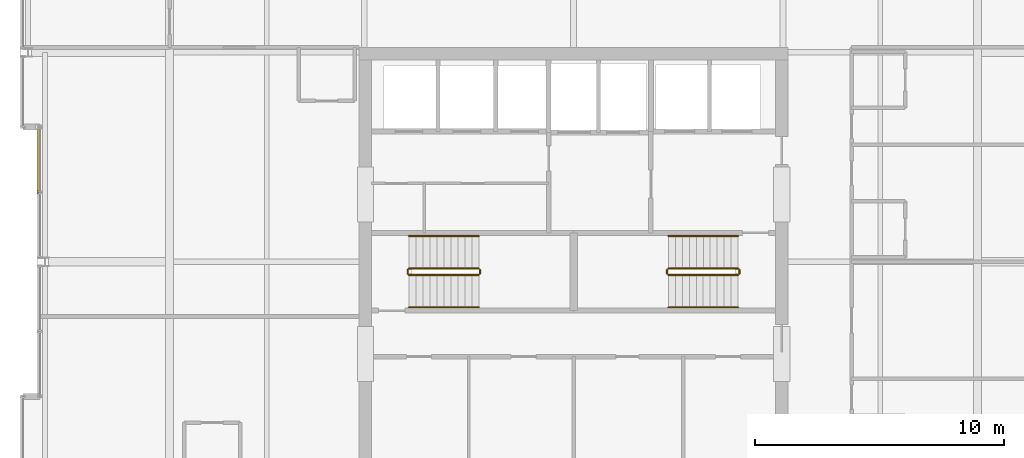
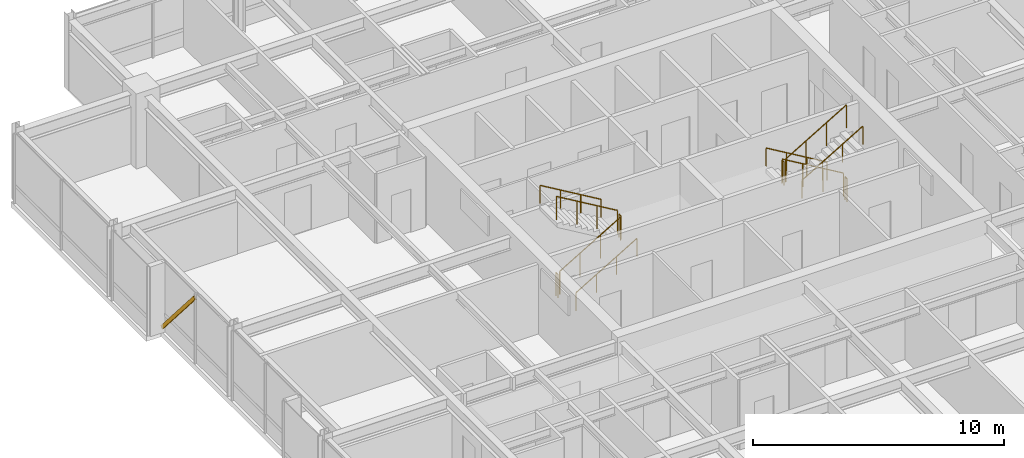
# One storey, part 33 of 34: 12 railings, 1 shading device.
"""IFC4 building model written with IfcOpenShell, lengths in metres."""

from ifc_helpers import new_model, si_unit, direction, frame, origin, origin_2d, place, context, subcontext, project, spatial, hollow_rectangle, circle, extrude, material, material_profile, profile_set, type_object, element, save


model = new_model("IFC4")

# Units and contexts
model_context = context("Model", 3, precision=1e-05, world=origin(), true_north=direction((0.0, 1.0)))
body_context = subcontext(model_context, "Body", "Model", "MODEL_VIEW")
ifc_project = project(units=[si_unit("LENGTHUNIT", "METRE"), si_unit("AREAUNIT", "SQUARE_METRE"), si_unit("VOLUMEUNIT", "CUBIC_METRE"), si_unit("PLANEANGLEUNIT", "RADIAN"), si_unit("MASSUNIT", "GRAM", prefix="KILO")], contexts=[model_context])

# Site, building, storey
site_placement = place(None, origin())
site = spatial("IfcSite", under=ifc_project, at=site_placement, CompositionType="ELEMENT")
building_placement = place(site_placement, origin())
building = spatial("IfcBuilding", under=site, at=building_placement, Name="Drelvath Grand Hotel", CompositionType="ELEMENT")
storey_placement = place(building_placement, frame((0.0, 0.0, 272.300048828125)))
storey = spatial("IfcBuildingStorey", under=building, at=storey_placement, Name="L71", CompositionType="ELEMENT", Elevation=272.300048828125)

# Railings
ifc_material_1 = material(Name="Painted Steel S275", Category="steel")
railing_type_1 = type_object("IfcRailingType", Name="Core Stair Wall Handrail 900", PredefinedType="HANDRAIL", material=ifc_material_1)
railing_1_placement = place(storey_placement, frame((-6.60009765625, 25.169921875, 0.165771484375)))
element("IfcRailing", 1, at=railing_1_placement, inside=storey, type_object=railing_type_1, Name="L71 ST-1 stair handrail 1", PredefinedType="HANDRAIL", context=body_context, shape_type="SweptSolid", body=[
    extrude(circle(Radius=0.02392578125, at=origin_2d()), frame((0.0, 0.0, 0.8759765625), z_axis=(0.860306154799, 0.0, 0.50977771628), x_axis=(0.0, 1.0, 0.0)), (0.0, 0.0, 1.0), 3.254638671875),
    extrude(circle(Radius=0.02099609375, at=origin_2d()), origin(), (0.0, 0.0, 1.0), 0.851806640625),
    extrude(circle(Radius=0.02099609375, at=origin_2d()), frame((0.933349609375, 0.0, 0.552978515625)), (0.0, 0.0, 1.0), 0.851806640625),
    extrude(circle(Radius=0.02099609375, at=origin_2d()), frame((1.86669921875, 0.0, 1.106201171875)), (0.0, 0.0, 1.0), 0.851806640625),
    extrude(circle(Radius=0.02099609375, at=origin_2d()), frame((2.800048828125, 0.0, 1.6591796875)), (0.0, 0.0, 1.0), 0.851806640625),
])
railing_2_placement = place(storey_placement, frame((-3.800048828125, 28.030029296875, 1.990966796875)))
element("IfcRailing", 2, at=railing_2_placement, inside=storey, type_object=railing_type_1, Name="L71 ST-1 stair handrail 2", PredefinedType="HANDRAIL", context=body_context, shape_type="SweptSolid", body=[
    extrude(circle(Radius=0.02392578125, at=origin_2d()), frame((0.0, 0.0, 0.8759765625), z_axis=(-0.860339051648, 0.0, 0.50972219513), x_axis=(0.0, -1.0, 0.0)), (0.0, 0.0, 1.0), 3.254638671875),
    extrude(circle(Radius=0.02099609375, at=origin_2d()), origin(), (0.0, 0.0, 1.0), 0.851806640625),
    extrude(circle(Radius=0.02099609375, at=origin_2d()), frame((-0.933349609375, 0.0, 0.552978515625)), (0.0, 0.0, 1.0), 0.851806640625),
    extrude(circle(Radius=0.02099609375, at=origin_2d()), frame((-1.86669921875, 0.0, 1.10595703125)), (0.0, 0.0, 1.0), 0.851806640625),
    extrude(circle(Radius=0.02099609375, at=origin_2d()), frame((-2.800048828125, 0.0, 1.658935546875)), (0.0, 0.0, 1.0), 0.851806640625),
])
railing_3_placement = place(storey_placement, frame((6.60009765625, 28.030029296875, 0.165771484375)))
element("IfcRailing", 3, at=railing_3_placement, inside=storey, type_object=railing_type_1, Name="L71 ST-2 stair handrail 1", PredefinedType="HANDRAIL", context=body_context, shape_type="SweptSolid", body=[
    extrude(circle(Radius=0.02392578125, at=origin_2d()), frame((0.0, 0.0, 0.8759765625), z_axis=(-0.860306154799, 0.0, 0.50977771628), x_axis=(0.0, -1.0, 0.0)), (0.0, 0.0, 1.0), 3.254638671875),
    extrude(circle(Radius=0.02099609375, at=origin_2d()), origin(), (0.0, 0.0, 1.0), 0.851806640625),
    extrude(circle(Radius=0.02099609375, at=origin_2d()), frame((-0.933349609375, 0.0, 0.552978515625)), (0.0, 0.0, 1.0), 0.851806640625),
    extrude(circle(Radius=0.02099609375, at=origin_2d()), frame((-1.86669921875, 0.0, 1.106201171875)), (0.0, 0.0, 1.0), 0.851806640625),
    extrude(circle(Radius=0.02099609375, at=origin_2d()), frame((-2.800048828125, 0.0, 1.6591796875)), (0.0, 0.0, 1.0), 0.851806640625),
])
railing_4_placement = place(storey_placement, frame((3.800048828125, 25.169921875, 1.990966796875)))
element("IfcRailing", 4, at=railing_4_placement, inside=storey, type_object=railing_type_1, Name="L71 ST-2 stair handrail 2", PredefinedType="HANDRAIL", context=body_context, shape_type="SweptSolid", body=[
    extrude(circle(Radius=0.02392578125, at=origin_2d()), frame((0.0, 0.0, 0.8759765625), z_axis=(0.860339051648, 0.0, 0.50972219513), x_axis=(0.0, 1.0, 0.0)), (0.0, 0.0, 1.0), 3.254638671875),
    extrude(circle(Radius=0.02099609375, at=origin_2d()), origin(), (0.0, 0.0, 1.0), 0.851806640625),
    extrude(circle(Radius=0.02099609375, at=origin_2d()), frame((0.933349609375, 0.0, 0.552978515625)), (0.0, 0.0, 1.0), 0.851806640625),
    extrude(circle(Radius=0.02099609375, at=origin_2d()), frame((1.86669921875, 0.0, 1.10595703125)), (0.0, 0.0, 1.0), 0.851806640625),
    extrude(circle(Radius=0.02099609375, at=origin_2d()), frame((2.800048828125, 0.0, 1.658935546875)), (0.0, 0.0, 1.0), 0.851806640625),
])
railing_type_2 = type_object("IfcRailingType", Name="Core Stair Well Guardrail 1100", PredefinedType="GUARDRAIL", material=ifc_material_1)
railing_5_placement = place(storey_placement, frame((-6.60009765625, 26.469970703125, 0.165771484375)))
element("IfcRailing", 5, at=railing_5_placement, inside=storey, type_object=railing_type_2, Name="L71 ST-1 stair guard 1", PredefinedType="GUARDRAIL", context=body_context, shape_type="SweptSolid", body=[
    extrude(circle(Radius=0.02392578125, at=origin_2d()), frame((0.0, 0.0, 1.1259765625), z_axis=(0.860306154799, 0.0, 0.50977771628), x_axis=(0.0, 1.0, 0.0)), (0.0, 0.0, 1.0), 3.254638671875),
    extrude(circle(Radius=0.02099609375, at=origin_2d()), origin(), (0.0, 0.0, 1.0), 1.101806640625),
    extrude(circle(Radius=0.02099609375, at=origin_2d()), frame((0.933349609375, 0.0, 0.552978515625)), (0.0, 0.0, 1.0), 1.101806640625),
    extrude(circle(Radius=0.02099609375, at=origin_2d()), frame((1.86669921875, 0.0, 1.106201171875)), (0.0, 0.0, 1.0), 1.101806640625),
    extrude(circle(Radius=0.02099609375, at=origin_2d()), frame((2.800048828125, 0.0, 1.6591796875)), (0.0, 0.0, 1.0), 1.101806640625),
])
railing_6_placement = place(storey_placement, frame((-3.75, 26.52001953125, 1.824951171875)))
element("IfcRailing", 6, at=railing_6_placement, inside=storey, type_object=railing_type_2, Name="L71 ST-1 stair guard 2", PredefinedType="GUARDRAIL", context=body_context, shape_type="SweptSolid", body=[
    extrude(circle(Radius=0.02392578125, at=origin_2d()), frame((0.0, 0.0, 1.1259765625), z_axis=(0.0, 1.0, 0.0), x_axis=(-1.0, 0.0, 0.0)), (0.0, 0.0, 1.0), 0.159912109375),
    extrude(circle(Radius=0.02099609375, at=origin_2d()), origin(), (0.0, 0.0, 1.0), 1.101806640625),
    extrude(circle(Radius=0.02099609375, at=origin_2d()), frame((0.0, 0.159912109375, 0.0)), (0.0, 0.0, 1.0), 1.101806640625),
])
railing_7_placement = place(storey_placement, frame((-3.800048828125, 26.72998046875, 1.990966796875)))
element("IfcRailing", 7, at=railing_7_placement, inside=storey, type_object=railing_type_2, Name="L71 ST-1 stair guard 3", PredefinedType="GUARDRAIL", context=body_context, shape_type="SweptSolid", body=[
    extrude(circle(Radius=0.02392578125, at=origin_2d()), frame((0.0, 0.0, 1.1259765625), z_axis=(-0.860339051648, 0.0, 0.50972219513), x_axis=(0.0, -1.0, 0.0)), (0.0, 0.0, 1.0), 3.254638671875),
    extrude(circle(Radius=0.02099609375, at=origin_2d()), origin(), (0.0, 0.0, 1.0), 1.101806640625),
    extrude(circle(Radius=0.02099609375, at=origin_2d()), frame((-0.933349609375, 0.0, 0.552978515625)), (0.0, 0.0, 1.0), 1.101806640625),
    extrude(circle(Radius=0.02099609375, at=origin_2d()), frame((-1.86669921875, 0.0, 1.10595703125)), (0.0, 0.0, 1.0), 1.101806640625),
    extrude(circle(Radius=0.02099609375, at=origin_2d()), frame((-2.800048828125, 0.0, 1.658935546875)), (0.0, 0.0, 1.0), 1.101806640625),
])
railing_8_placement = place(storey_placement, frame((-6.64990234375, 26.52001953125, 0.0)))
element("IfcRailing", 8, at=railing_8_placement, inside=storey, type_object=railing_type_2, Name="L71 ST-1 stair guard 4", PredefinedType="GUARDRAIL", context=body_context, shape_type="SweptSolid", body=[
    extrude(circle(Radius=0.02392578125, at=origin_2d()), frame((0.0, 0.0, 1.1259765625), z_axis=(0.0, 1.0, 0.0), x_axis=(-1.0, 0.0, 0.0)), (0.0, 0.0, 1.0), 0.159912109375),
    extrude(circle(Radius=0.02099609375, at=origin_2d()), origin(), (0.0, 0.0, 1.0), 1.101806640625),
    extrude(circle(Radius=0.02099609375, at=origin_2d()), frame((0.0, 0.159912109375, 0.0)), (0.0, 0.0, 1.0), 1.101806640625),
])
railing_9_placement = place(storey_placement, frame((6.60009765625, 26.72998046875, 0.165771484375)))
element("IfcRailing", 9, at=railing_9_placement, inside=storey, type_object=railing_type_2, Name="L71 ST-2 stair guard 1", PredefinedType="GUARDRAIL", context=body_context, shape_type="SweptSolid", body=[
    extrude(circle(Radius=0.02392578125, at=origin_2d()), frame((0.0, 0.0, 1.1259765625), z_axis=(-0.860306154799, 0.0, 0.50977771628), x_axis=(0.0, -1.0, 0.0)), (0.0, 0.0, 1.0), 3.254638671875),
    extrude(circle(Radius=0.02099609375, at=origin_2d()), origin(), (0.0, 0.0, 1.0), 1.101806640625),
    extrude(circle(Radius=0.02099609375, at=origin_2d()), frame((-0.933349609375, 0.0, 0.552978515625)), (0.0, 0.0, 1.0), 1.101806640625),
    extrude(circle(Radius=0.02099609375, at=origin_2d()), frame((-1.86669921875, 0.0, 1.106201171875)), (0.0, 0.0, 1.0), 1.101806640625),
    extrude(circle(Radius=0.02099609375, at=origin_2d()), frame((-2.800048828125, 0.0, 1.6591796875)), (0.0, 0.0, 1.0), 1.101806640625),
])
railing_10_placement = place(storey_placement, frame((3.75, 26.679931640625, 1.824951171875)))
element("IfcRailing", 10, at=railing_10_placement, inside=storey, type_object=railing_type_2, Name="L71 ST-2 stair guard 2", PredefinedType="GUARDRAIL", context=body_context, shape_type="SweptSolid", body=[
    extrude(circle(Radius=0.02392578125, at=origin_2d()), frame((0.0, 0.0, 1.1259765625), z_axis=(0.0, -1.0, 0.0), x_axis=(1.0, 0.0, 0.0)), (0.0, 0.0, 1.0), 0.159912109375),
    extrude(circle(Radius=0.02099609375, at=origin_2d()), origin(), (0.0, 0.0, 1.0), 1.101806640625),
    extrude(circle(Radius=0.02099609375, at=origin_2d()), frame((0.0, -0.159912109375, 0.0)), (0.0, 0.0, 1.0), 1.101806640625),
])
railing_11_placement = place(storey_placement, frame((3.800048828125, 26.469970703125, 1.990966796875)))
element("IfcRailing", 11, at=railing_11_placement, inside=storey, type_object=railing_type_2, Name="L71 ST-2 stair guard 3", PredefinedType="GUARDRAIL", context=body_context, shape_type="SweptSolid", body=[
    extrude(circle(Radius=0.02392578125, at=origin_2d()), frame((0.0, 0.0, 1.1259765625), z_axis=(0.860339051648, 0.0, 0.50972219513), x_axis=(0.0, 1.0, 0.0)), (0.0, 0.0, 1.0), 3.254638671875),
    extrude(circle(Radius=0.02099609375, at=origin_2d()), origin(), (0.0, 0.0, 1.0), 1.101806640625),
    extrude(circle(Radius=0.02099609375, at=origin_2d()), frame((0.933349609375, 0.0, 0.552978515625)), (0.0, 0.0, 1.0), 1.101806640625),
    extrude(circle(Radius=0.02099609375, at=origin_2d()), frame((1.86669921875, 0.0, 1.10595703125)), (0.0, 0.0, 1.0), 1.101806640625),
    extrude(circle(Radius=0.02099609375, at=origin_2d()), frame((2.800048828125, 0.0, 1.658935546875)), (0.0, 0.0, 1.0), 1.101806640625),
])
railing_12_placement = place(storey_placement, frame((6.64990234375, 26.679931640625, 0.0)))
element("IfcRailing", 12, at=railing_12_placement, inside=storey, type_object=railing_type_2, Name="L71 ST-2 stair guard 4", PredefinedType="GUARDRAIL", context=body_context, shape_type="SweptSolid", body=[
    extrude(circle(Radius=0.02392578125, at=origin_2d()), frame((0.0, 0.0, 1.1259765625), z_axis=(0.0, -1.0, 0.0), x_axis=(1.0, 0.0, 0.0)), (0.0, 0.0, 1.0), 0.159912109375),
    extrude(circle(Radius=0.02099609375, at=origin_2d()), origin(), (0.0, 0.0, 1.0), 1.101806640625),
    extrude(circle(Radius=0.02099609375, at=origin_2d()), frame((0.0, -0.159912109375, 0.0)), (0.0, 0.0, 1.0), 1.101806640625),
])

# Shading device
ifc_material_2 = material(Name="Platinum-Mist Anodised Aluminium", Category="aluminium")
ifc_material_profile = material_profile(ifc_material_2, hollow_rectangle(XDim=0.06494140625, YDim=0.159912109375, WallThickness=0.00390625, at=origin_2d()), Name="HSS160X65X4")
ifc_profile_set = profile_set([ifc_material_profile], Name="Platinum-Mist Anodised Aluminium")
shading_device_type = type_object("IfcShadingDeviceType", Name="Diagonal Solar Fin Platinum Anodised HSS160X65X4", PredefinedType="USERDEFINED", material=ifc_profile_set)
shading_device_placement = place(storey_placement, frame((-21.47998046875, 32.39990234375, 0.179931640625), z_axis=(0.0, -0.653354613196, 0.757052012358), x_axis=(1.0, 0.0, 0.0)))
element("IfcShadingDevice", 13, at=shading_device_placement, inside=storey, type_object=shading_device_type, Name="L71 Diagonal Anodised Fin CW05-L71-WM2", ObjectType="FIN", PredefinedType="USERDEFINED", context=body_context, shape_type="SweptSolid", body=[
    extrude(hollow_rectangle(XDim=0.06494140625, YDim=0.159912109375, WallThickness=0.00390625, at=origin_2d()), origin(), (0.0, 0.0, 1.0), 4.00244140625),
])

save(model, "model.ifc")
